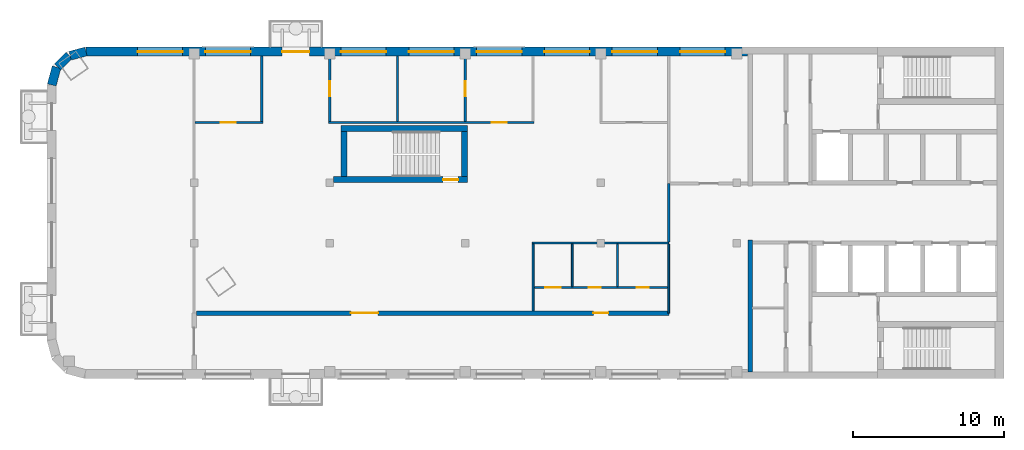
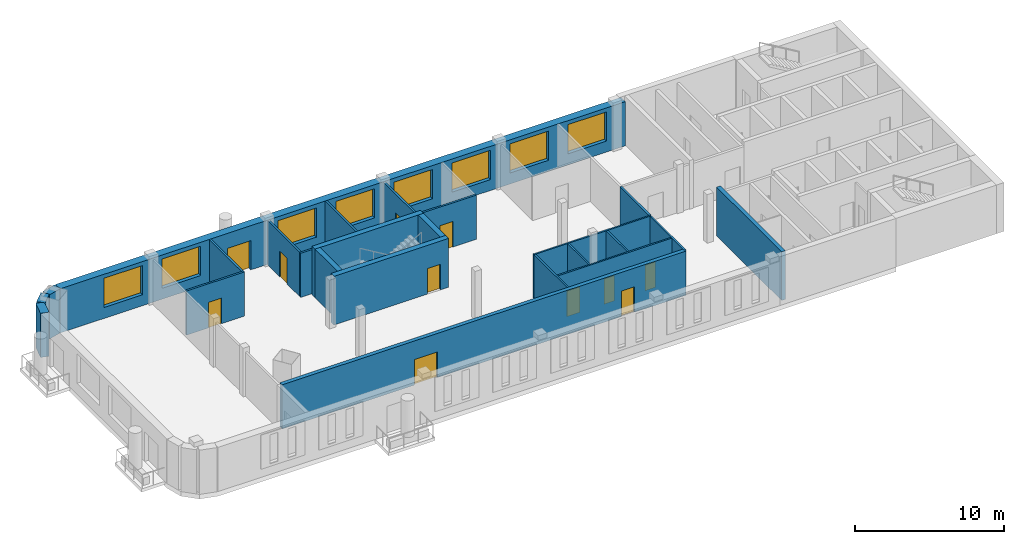
# One storey, part 2 of 7: 23 walls, 11 doors, 8 windows, 19 openings.
"""IFC4 building model written with IfcOpenShell, lengths in metres."""

from ifc_helpers import new_model, si_unit, direction, frame, frame_2d, origin, place, context, subcontext, project, spatial, rectangle, extrude, material, layer, layer_set, type_object, element, fill, save


model = new_model("IFC4")

# Units and contexts
model_context = context("Model", 3, precision=1e-05, world=origin(), true_north=direction((0.0, 1.0)))
body_context = subcontext(model_context, "Body", "Model", "MODEL_VIEW")
ifc_project = project(units=[si_unit("LENGTHUNIT", "METRE"), si_unit("AREAUNIT", "SQUARE_METRE"), si_unit("VOLUMEUNIT", "CUBIC_METRE"), si_unit("PLANEANGLEUNIT", "RADIAN"), si_unit("MASSUNIT", "GRAM", prefix="KILO")], contexts=[model_context])

# Site, building, storey
site_placement = place(None, origin())
site = spatial("IfcSite", under=ifc_project, at=site_placement, CompositionType="ELEMENT")
building_placement = place(site_placement, origin())
building = spatial("IfcBuilding", under=site, at=building_placement, Name="Skarvind Civic Tower", CompositionType="ELEMENT")
storey_placement = place(building_placement, frame((0.0, 0.0, 241.5)))
storey = spatial("IfcBuildingStorey", under=building, at=storey_placement, Name="L57", CompositionType="ELEMENT", Elevation=241.5)

# Wall, openings, doors
ifc_material_1 = material(Name="Fire-rated gypsum board on steel studs", Category="steel")
ifc_layer_1 = layer(ifc_material_1, 0.300048828125)
ifc_layer_set_1 = layer_set([ifc_layer_1], Name="CORRIDOR WALL 300")
wall_type_1 = type_object("IfcWallType", Name="CORRIDOR WALL 300", PredefinedType="PARTITIONING", material=ifc_layer_set_1)
wall_1_placement = place(storey_placement, frame((54.39990234375, 121.35009765625, 0.0), z_axis=(0.0, 0.0, 1.0), x_axis=(1.0, 0.0, 0.0)))
wall_1 = element("IfcWall", 1, at=wall_1_placement, inside=storey, type_object=wall_type_1, Name="Partition 57.003", PredefinedType="PARTITIONING", context=body_context, shape_type="SweptSolid", body=[
    extrude(rectangle(XDim=31.35302734375, YDim=0.300048828125, at=frame_2d((15.676513671875, 0.0))), origin(), (0.0, 0.0, 1.0), 3.625),
])
opening_1_placement = place(wall_1_placement, frame((26.35009765625, 0.0, 0.0)))
opening_1 = element("IfcOpeningElement", 2, at=opening_1_placement, cuts=wall_1, Name="Opening L57-D002", PredefinedType="OPENING", context=body_context, shape_type="SweptSolid", body=[
    extrude(rectangle(XDim=1.0, YDim=2.10009765625, at=frame_2d((0.5, 1.050048828125))), frame((0.0, 0.159912109375, 0.0), z_axis=(0.0, -1.0, 0.0), x_axis=(1.0, 0.0, 0.0)), (0.0, 0.0, 1.0), 0.320068359375),
])
opening_2_placement = place(wall_1_placement, frame((10.264892578125, 0.0, 0.0)))
opening_2 = element("IfcOpeningElement", 3, at=opening_2_placement, cuts=wall_1, Name="Opening L57-D010", PredefinedType="OPENING", context=body_context, shape_type="SweptSolid", body=[
    extrude(rectangle(XDim=1.800048828125, YDim=2.10009765625, at=frame_2d((0.89990234375, 1.050048828125))), frame((0.0, 0.159912109375, 0.0), z_axis=(0.0, -1.0, 0.0), x_axis=(1.0, 0.0, 0.0)), (0.0, 0.0, 1.0), 0.320068359375),
])
ifc_material_2 = material(Name="Fire-rated timber door leaf", Category="wood")
door_type_1 = type_object("IfcDoorType", Name="FD1 1000x2100", OperationType="NOTDEFINED", PredefinedType="DOOR", material=ifc_material_2)
door_1_placement = place(opening_1_placement, origin())
door_1 = element("IfcDoor", 4, at=door_1_placement, inside=storey, type_object=door_type_1, Name="Door L57-D002", OperationType="SINGLE_SWING_LEFT", OverallHeight=2.10009765625, OverallWidth=1.0, PredefinedType="DOOR", context=body_context, shape_type="SweptSolid", body=[
    extrude(rectangle(XDim=1.0, YDim=2.10009765625, at=frame_2d((0.5, 1.050048828125))), frame((0.0, 0.02490234375, 0.0), z_axis=(0.0, -1.0, 0.0), x_axis=(1.0, 0.0, 0.0)), (0.0, 0.0, 1.0), 0.050048828125),
])
fill(opening_1, door_1)
door_type_2 = type_object("IfcDoorType", Name="FD4 1800x2100", OperationType="NOTDEFINED", PredefinedType="DOOR", material=ifc_material_2)
door_2_placement = place(opening_2_placement, origin())
door_2 = element("IfcDoor", 5, at=door_2_placement, inside=storey, type_object=door_type_2, Name="Door L57-D010", OperationType="DOUBLE_DOOR_SINGLE_SWING", OverallHeight=2.10009765625, OverallWidth=1.800048828125, PredefinedType="DOOR", context=body_context, shape_type="SweptSolid", body=[
    extrude(rectangle(XDim=1.800048828125, YDim=2.10009765625, at=frame_2d((0.89990234375, 1.050048828125))), frame((0.0, 0.02490234375, 0.0), z_axis=(0.0, -1.0, 0.0), x_axis=(1.0, 0.0, 0.0)), (0.0, 0.0, 1.0), 0.050048828125),
])
fill(opening_2, door_2)

# Wall
ifc_material_3 = material(Name="Concrete C60", Category="concrete")
ifc_layer_2 = layer(ifc_material_3, 0.300048828125)
ifc_layer_set_2 = layer_set([ifc_layer_2], Name="Core wall 300 C60")
wall_type_2 = type_object("IfcWallType", Name="Core wall 300 C60", PredefinedType="SHEAR", material=ifc_layer_set_2)
wall_2_placement = place(storey_placement, frame((91.14990234375, 126.199951171875, 0.0), z_axis=(0.0, 0.0, 1.0), x_axis=(0.0, -1.0, 0.0)))
element("IfcWall", 6, at=wall_2_placement, inside=storey, type_object=wall_type_2, Name="Core wall C1 north inner face L57", PredefinedType="SHEAR", context=body_context, shape_type="SweptSolid", body=[
    extrude(rectangle(XDim=8.75, YDim=0.300048828125, at=frame_2d((4.375, 0.0))), origin(), (0.0, 0.0, 1.0), 4.0),
])

# Wall, opening, door
ifc_layer_3 = layer(ifc_material_3, 0.39990234375)
ifc_layer_set_3 = layer_set([ifc_layer_3], Name="Core wall 400 C60")
wall_type_3 = type_object("IfcWallType", Name="Core wall 400 C60", PredefinedType="SHEAR", material=ifc_layer_set_3)
wall_3_placement = place(storey_placement, frame((63.5, 130.199951171875, 0.0), z_axis=(0.0, 0.0, 1.0), x_axis=(1.0, 0.0, 0.0)))
wall_3 = element("IfcWall", 7, at=wall_3_placement, inside=storey, type_object=wall_type_3, Name="Core wall CM inner L57", PredefinedType="SHEAR", context=body_context, shape_type="SweptSolid", body=[
    extrude(rectangle(XDim=8.89990234375, YDim=0.39990234375, at=frame_2d((4.449951171875, 0.0))), origin(), (0.0, 0.0, 1.0), 4.0),
])
opening_3_placement = place(wall_3_placement, frame((7.27490234375, 0.0, 0.0)))
opening_3 = element("IfcOpeningElement", 8, at=opening_3_placement, cuts=wall_3, Name="Opening D-L57-CM-01", PredefinedType="OPENING", context=body_context, shape_type="SweptSolid", body=[
    extrude(rectangle(XDim=1.0, YDim=2.10009765625, at=frame_2d((0.5, 1.050048828125))), frame((0.0, 0.2099609375, 0.0), z_axis=(0.0, -1.0, 0.0), x_axis=(1.0, 0.0, 0.0)), (0.0, 0.0, 1.0), 0.419921875),
])
ifc_material_4 = material(Name="Fire-rated steel door", Category="steel")
door_type_3 = type_object("IfcDoorType", Name="Fire door 1000", OperationType="NOTDEFINED", PredefinedType="DOOR", material=ifc_material_4)
door_3_placement = place(opening_3_placement, origin())
door_3 = element("IfcDoor", 9, at=door_3_placement, inside=storey, type_object=door_type_3, Name="Fire door", OperationType="SINGLE_SWING_LEFT", OverallHeight=2.10009765625, OverallWidth=1.0, PredefinedType="DOOR", context=body_context, shape_type="SweptSolid", body=[
    extrude(rectangle(XDim=1.0, YDim=2.10009765625, at=frame_2d((0.5, 1.050048828125))), frame((0.0, 0.02490234375, 0.0), z_axis=(0.0, -1.0, 0.0), x_axis=(1.0, 0.0, 0.0)), (0.0, 0.0, 1.0), 0.050048828125),
])
fill(opening_3, door_3)

# Walls
wall_4_placement = place(storey_placement, frame((64.0, 133.60009765625, 0.0), z_axis=(0.0, 0.0, 1.0), x_axis=(1.0, 0.0, 0.0)))
element("IfcWall", 10, at=wall_4_placement, inside=storey, type_object=wall_type_3, Name="Core wall CM outer L57", PredefinedType="SHEAR", context=body_context, shape_type="SweptSolid", body=[
    extrude(rectangle(XDim=8.39990234375, YDim=0.39990234375, at=frame_2d((4.199951171875, 0.0))), origin(), (0.0, 0.0, 1.0), 4.0),
])
for number, where, z_axis, x_axis, name in (
    (11, (64.199951171875, 130.39990234375, 0.0), (0.0, 0.0, 1.0), (0.0, 1.0, 0.0), "Core wall CM west L57"),
    (12, (72.199951171875, 130.39990234375, 0.0), (0.0, 0.0, 1.0), (0.0, 1.0, 0.0), "Core wall CM end L57"),
):
    element("IfcWall", number, at=place(storey_placement, frame(where, z_axis=z_axis, x_axis=x_axis)), inside=storey, type_object=wall_type_3, Name=name, PredefinedType="SHEAR", context=body_context, shape_type="SweptSolid", body=[
        extrude(rectangle(XDim=3.0, YDim=0.39990234375, at=frame_2d((1.5, 0.0))), origin(), (0.0, 0.0, 1.0), 4.0),
    ])

# Wall, opening, door
ifc_material_5 = material(Name="Plasterboard partition on steel studs", Category="steel")
ifc_layer_4 = layer(ifc_material_5, 0.14990234375)
ifc_layer_set_4 = layer_set([ifc_layer_4], Name="PARTITION 150")
wall_type_4 = type_object("IfcWallType", Name="PARTITION 150", PredefinedType="PARTITIONING", material=ifc_layer_set_4)
wall_5_placement = place(storey_placement, frame((58.824951171875, 134.0, 0.0), z_axis=(0.0, 0.0, 1.0), x_axis=(-1.0, 0.0, 0.0)))
wall_5 = element("IfcWall", 13, at=wall_5_placement, inside=storey, type_object=wall_type_4, Name="Partition 57.004", PredefinedType="PARTITIONING", context=body_context, shape_type="SweptSolid", body=[
    extrude(rectangle(XDim=4.5, YDim=0.14990234375, at=frame_2d((2.25, 0.0))), origin(), (0.0, 0.0, 1.0), 3.625),
])
opening_4_placement = place(wall_5_placement, frame((1.797607421875, 0.0, 0.0)))
opening_4 = element("IfcOpeningElement", 14, at=opening_4_placement, cuts=wall_5, Name="Opening L57-D009", PredefinedType="OPENING", context=body_context, shape_type="SweptSolid", body=[
    extrude(rectangle(XDim=1.0, YDim=2.10009765625, at=frame_2d((0.5, 1.050048828125))), frame((0.0, 0.0849609375, 0.0), z_axis=(0.0, -1.0, 0.0), x_axis=(1.0, 0.0, 0.0)), (0.0, 0.0, 1.0), 0.169921875),
])
ifc_material_6 = material(Name="Timber door leaf", Category="wood")
door_type_4 = type_object("IfcDoorType", Name="D1 1000x2100", OperationType="NOTDEFINED", PredefinedType="DOOR", material=ifc_material_6)
door_4_placement = place(opening_4_placement, origin())
door_4 = element("IfcDoor", 15, at=door_4_placement, inside=storey, type_object=door_type_4, Name="Door L57-D009", OperationType="SINGLE_SWING_LEFT", OverallHeight=2.10009765625, OverallWidth=1.0, PredefinedType="DOOR", context=body_context, shape_type="SweptSolid", body=[
    extrude(rectangle(XDim=1.0, YDim=2.10009765625, at=frame_2d((0.5, 1.050048828125))), frame((0.0, 0.02490234375, 0.0), z_axis=(0.0, -1.0, 0.0), x_axis=(1.0, 0.0, 0.0)), (0.0, 0.0, 1.0), 0.050048828125),
])
fill(opening_4, door_4)

# Wall
wall_6_placement = place(storey_placement, frame((58.75, 138.39990234375, 0.0), z_axis=(0.0, 0.0, 1.0), x_axis=(0.0, -1.0, 0.0)))
element("IfcWall", 16, at=wall_6_placement, inside=storey, type_object=wall_type_4, Name="Partition 57.005", PredefinedType="PARTITIONING", context=body_context, shape_type="SweptSolid", body=[
    extrude(rectangle(XDim=4.324951171875, YDim=0.14990234375, at=frame_2d((2.16259765625, 0.0))), origin(), (0.0, 0.0, 1.0), 3.625),
])

# Wall, opening, door
wall_7_placement = place(storey_placement, frame((63.25, 134.074951171875, 0.0), z_axis=(0.0, 0.0, 1.0), x_axis=(0.0, 1.0, 0.0)))
wall_7 = element("IfcWall", 17, at=wall_7_placement, inside=storey, type_object=wall_type_4, Name="Partition 57.006", PredefinedType="PARTITIONING", context=body_context, shape_type="SweptSolid", body=[
    extrude(rectangle(XDim=4.324951171875, YDim=0.14990234375, at=frame_2d((2.16259765625, 0.0))), origin(), (0.0, 0.0, 1.0), 3.625),
])
opening_5_placement = place(wall_7_placement, frame((1.652587890625, 0.0, 0.0)))
opening_5 = element("IfcOpeningElement", 18, at=opening_5_placement, cuts=wall_7, Name="Opening L57-D008", PredefinedType="OPENING", context=body_context, shape_type="SweptSolid", body=[
    extrude(rectangle(XDim=1.0, YDim=2.10009765625, at=frame_2d((0.5, 1.050048828125))), frame((0.0, 0.0849609375, 0.0), z_axis=(0.0, -1.0, 0.0), x_axis=(1.0, 0.0, 0.0)), (0.0, 0.0, 1.0), 0.169921875),
])
door_5_placement = place(opening_5_placement, origin())
door_5 = element("IfcDoor", 19, at=door_5_placement, inside=storey, type_object=door_type_4, Name="Door L57-D008", OperationType="SINGLE_SWING_LEFT", OverallHeight=2.10009765625, OverallWidth=1.0, PredefinedType="DOOR", context=body_context, shape_type="SweptSolid", body=[
    extrude(rectangle(XDim=1.0, YDim=2.10009765625, at=frame_2d((0.5, 1.050048828125))), frame((0.0, 0.02490234375, 0.0), z_axis=(0.0, -1.0, 0.0), x_axis=(1.0, 0.0, 0.0)), (0.0, 0.0, 1.0), 0.050048828125),
])
fill(opening_5, door_5)

wall_8_placement = place(storey_placement, frame((76.824951171875, 134.0, 0.0), z_axis=(0.0, 0.0, 1.0), x_axis=(-1.0, 0.0, 0.0)))
wall_8 = element("IfcWall", 20, at=wall_8_placement, inside=storey, type_object=wall_type_4, Name="Partition 57.007", PredefinedType="PARTITIONING", context=body_context, shape_type="SweptSolid", body=[
    extrude(rectangle(XDim=13.64990234375, YDim=0.14990234375, at=frame_2d((6.824951171875, 0.0))), origin(), (0.0, 0.0, 1.0), 3.625),
])
opening_6_placement = place(wall_8_placement, frame((1.824951171875, 0.0, 0.0)))
opening_6 = element("IfcOpeningElement", 21, at=opening_6_placement, cuts=wall_8, Name="Opening L57-D007", PredefinedType="OPENING", context=body_context, shape_type="SweptSolid", body=[
    extrude(rectangle(XDim=1.0, YDim=2.10009765625, at=frame_2d((0.5, 1.050048828125))), frame((0.0, 0.0849609375, 0.0), z_axis=(0.0, -1.0, 0.0), x_axis=(1.0, 0.0, 0.0)), (0.0, 0.0, 1.0), 0.169921875),
])
door_6_placement = place(opening_6_placement, origin())
door_6 = element("IfcDoor", 22, at=door_6_placement, inside=storey, type_object=door_type_4, Name="Door L57-D007", OperationType="SINGLE_SWING_LEFT", OverallHeight=2.10009765625, OverallWidth=1.0, PredefinedType="DOOR", context=body_context, shape_type="SweptSolid", body=[
    extrude(rectangle(XDim=1.0, YDim=2.10009765625, at=frame_2d((0.5, 1.050048828125))), frame((0.0, 0.02490234375, 0.0), z_axis=(0.0, -1.0, 0.0), x_axis=(1.0, 0.0, 0.0)), (0.0, 0.0, 1.0), 0.050048828125),
])
fill(opening_6, door_6)

# Wall
wall_9_placement = place(storey_placement, frame((67.75, 134.074951171875, 0.0), z_axis=(0.0, 0.0, 1.0), x_axis=(0.0, 1.0, 0.0)))
element("IfcWall", 23, at=wall_9_placement, inside=storey, type_object=wall_type_4, Name="Partition 57.008", PredefinedType="PARTITIONING", context=body_context, shape_type="SweptSolid", body=[
    extrude(rectangle(XDim=4.324951171875, YDim=0.14990234375, at=frame_2d((2.16259765625, 0.0))), origin(), (0.0, 0.0, 1.0), 3.625),
])

# Wall, opening, door
wall_10_placement = place(storey_placement, frame((72.25, 134.074951171875, 0.0), z_axis=(0.0, 0.0, 1.0), x_axis=(0.0, 1.0, 0.0)))
wall_10 = element("IfcWall", 24, at=wall_10_placement, inside=storey, type_object=wall_type_4, Name="Partition 57.009", PredefinedType="PARTITIONING", context=body_context, shape_type="SweptSolid", body=[
    extrude(rectangle(XDim=4.324951171875, YDim=0.14990234375, at=frame_2d((2.16259765625, 0.0))), origin(), (0.0, 0.0, 1.0), 3.625),
])
opening_7_placement = place(wall_10_placement, frame((1.652587890625, 0.0, 0.0)))
opening_7 = element("IfcOpeningElement", 25, at=opening_7_placement, cuts=wall_10, Name="Opening L57-D012", PredefinedType="OPENING", context=body_context, shape_type="SweptSolid", body=[
    extrude(rectangle(XDim=1.0, YDim=2.10009765625, at=frame_2d((0.5, 1.050048828125))), frame((0.0, 0.0849609375, 0.0), z_axis=(0.0, -1.0, 0.0), x_axis=(1.0, 0.0, 0.0)), (0.0, 0.0, 1.0), 0.169921875),
])
door_7_placement = place(opening_7_placement, origin())
door_7 = element("IfcDoor", 26, at=door_7_placement, inside=storey, type_object=door_type_4, Name="Door L57-D012", OperationType="SINGLE_SWING_LEFT", OverallHeight=2.10009765625, OverallWidth=1.0, PredefinedType="DOOR", context=body_context, shape_type="SweptSolid", body=[
    extrude(rectangle(XDim=1.0, YDim=2.10009765625, at=frame_2d((0.5, 1.050048828125))), frame((0.0, 0.02490234375, 0.0), z_axis=(0.0, -1.0, 0.0), x_axis=(1.0, 0.0, 0.0)), (0.0, 0.0, 1.0), 0.050048828125),
])
fill(opening_7, door_7)

# Walls
wall_11_placement = place(storey_placement, frame((85.75, 126.06005859375, 0.0), z_axis=(0.0, 0.0, 1.0), x_axis=(0.0, 1.0, 0.0)))
element("IfcWall", 27, at=wall_11_placement, inside=storey, type_object=wall_type_4, Name="Partition 57.018", PredefinedType="PARTITIONING", context=body_context, shape_type="SweptSolid", body=[
    extrude(rectangle(XDim=3.889892578125, YDim=0.14990234375, at=frame_2d((1.94482421875, 0.0))), origin(), (0.0, 0.0, 1.0), 3.625),
])
ifc_material_7 = material(Name="Moisture-resistant gypsum board on steel studs", Category="steel")
ifc_layer_5 = layer(ifc_material_7, 0.125)
ifc_layer_set_5 = layer_set([ifc_layer_5], Name="WC PARTITION 125")
wall_type_5 = type_object("IfcWallType", Name="WC PARTITION 125", PredefinedType="PARTITIONING", material=ifc_layer_set_5)
wall_12_placement = place(storey_placement, frame((76.75, 121.5, 0.0), z_axis=(0.0, 0.0, 1.0), x_axis=(0.0, 1.0, 0.0)))
element("IfcWall", 28, at=wall_12_placement, inside=storey, type_object=wall_type_5, Name="Partition 57.010", PredefinedType="PARTITIONING", context=body_context, shape_type="SweptSolid", body=[
    extrude(rectangle(XDim=4.43798828125, YDim=0.125, at=frame_2d((2.218994140625, 0.0))), origin(), (0.0, 0.0, 1.0), 3.625),
])

# Wall, openings, doors
wall_13_placement = place(storey_placement, frame((76.81201171875, 123.050048828125, 0.0), z_axis=(0.0, 0.0, 1.0), x_axis=(1.0, 0.0, 0.0)))
wall_13 = element("IfcWall", 29, at=wall_13_placement, inside=storey, type_object=wall_type_5, Name="Partition 57.011", PredefinedType="PARTITIONING", context=body_context, shape_type="SweptSolid", body=[
    extrude(rectangle(XDim=8.8759765625, YDim=0.125, at=frame_2d((4.43798828125, 0.0))), origin(), (0.0, 0.0, 1.0), 3.625),
])
opening_8_placement = place(wall_13_placement, frame((6.81689453125, 0.0, 0.0)))
opening_8 = element("IfcOpeningElement", 30, at=opening_8_placement, cuts=wall_13, Name="Opening L57-D003", PredefinedType="OPENING", context=body_context, shape_type="SweptSolid", body=[
    extrude(rectangle(XDim=0.800048828125, YDim=2.10009765625, at=frame_2d((0.39990234375, 1.050048828125))), frame((0.0, 0.072509765625, 0.0), z_axis=(0.0, -1.0, 0.0), x_axis=(1.0, 0.0, 0.0)), (0.0, 0.0, 1.0), 0.14501953125),
])
opening_9_placement = place(wall_13_placement, frame((3.637939453125, 0.0, 0.0)))
opening_9 = element("IfcOpeningElement", 31, at=opening_9_placement, cuts=wall_13, Name="Opening L57-D004", PredefinedType="OPENING", context=body_context, shape_type="SweptSolid", body=[
    extrude(rectangle(XDim=0.800048828125, YDim=2.10009765625, at=frame_2d((0.39990234375, 1.050048828125))), frame((0.0, 0.072509765625, 0.0), z_axis=(0.0, -1.0, 0.0), x_axis=(1.0, 0.0, 0.0)), (0.0, 0.0, 1.0), 0.14501953125),
])
opening_10_placement = place(wall_13_placement, frame((0.759033203125, 0.0, 0.0)))
opening_10 = element("IfcOpeningElement", 32, at=opening_10_placement, cuts=wall_13, Name="Opening L57-D005", PredefinedType="OPENING", context=body_context, shape_type="SweptSolid", body=[
    extrude(rectangle(XDim=1.0, YDim=2.10009765625, at=frame_2d((0.5, 1.050048828125))), frame((0.0, 0.072509765625, 0.0), z_axis=(0.0, -1.0, 0.0), x_axis=(1.0, 0.0, 0.0)), (0.0, 0.0, 1.0), 0.14501953125),
])
door_8_placement = place(opening_10_placement, origin())
door_8 = element("IfcDoor", 33, at=door_8_placement, inside=storey, type_object=door_type_4, Name="Door L57-D005", OperationType="SINGLE_SWING_LEFT", OverallHeight=2.10009765625, OverallWidth=1.0, PredefinedType="DOOR", context=body_context, shape_type="SweptSolid", body=[
    extrude(rectangle(XDim=1.0, YDim=2.10009765625, at=frame_2d((0.5, 1.050048828125))), frame((0.0, 0.02490234375, 0.0), z_axis=(0.0, -1.0, 0.0), x_axis=(1.0, 0.0, 0.0)), (0.0, 0.0, 1.0), 0.050048828125),
])
fill(opening_10, door_8)
door_type_5 = type_object("IfcDoorType", Name="DOOR 800X2100 TIMBER", OperationType="NOTDEFINED", PredefinedType="DOOR", material=ifc_material_6)
door_9_placement = place(opening_8_placement, origin())
door_9 = element("IfcDoor", 34, at=door_9_placement, inside=storey, type_object=door_type_5, Name="Door L57-D003", OperationType="SINGLE_SWING_RIGHT", OverallHeight=2.10009765625, OverallWidth=0.800048828125, PredefinedType="DOOR", context=body_context, shape_type="SweptSolid", body=[
    extrude(rectangle(XDim=0.800048828125, YDim=2.10009765625, at=frame_2d((0.39990234375, 1.050048828125))), frame((0.0, 0.02490234375, 0.0), z_axis=(0.0, -1.0, 0.0), x_axis=(1.0, 0.0, 0.0)), (0.0, 0.0, 1.0), 0.050048828125),
])
fill(opening_8, door_9)
door_10_placement = place(opening_9_placement, origin())
door_10 = element("IfcDoor", 35, at=door_10_placement, inside=storey, type_object=door_type_5, Name="Door L57-D004", OperationType="SINGLE_SWING_LEFT", OverallHeight=2.10009765625, OverallWidth=0.800048828125, PredefinedType="DOOR", context=body_context, shape_type="SweptSolid", body=[
    extrude(rectangle(XDim=0.800048828125, YDim=2.10009765625, at=frame_2d((0.39990234375, 1.050048828125))), frame((0.0, 0.02490234375, 0.0), z_axis=(0.0, -1.0, 0.0), x_axis=(1.0, 0.0, 0.0)), (0.0, 0.0, 1.0), 0.050048828125),
])
fill(opening_9, door_10)

# Walls
wall_14_placement = place(storey_placement, frame((76.68798828125, 126.0, 0.0), z_axis=(0.0, 0.0, 1.0), x_axis=(1.0, 0.0, 0.0)))
element("IfcWall", 36, at=wall_14_placement, inside=storey, type_object=wall_type_5, Name="Partition 57.012", PredefinedType="PARTITIONING", context=body_context, shape_type="SweptSolid", body=[
    extrude(rectangle(XDim=9.06201171875, YDim=0.125, at=frame_2d((4.531005859375, 0.0))), origin(), (0.0, 0.0, 1.0), 3.625),
])
for number, where, z_axis, x_axis, name in (
    (37, (79.35009765625, 125.93798828125, 0.0), (0.0, 0.0, 1.0), (0.0, -1.0, 0.0), "Partition 57.014"),
    (38, (82.35009765625, 125.93798828125, 0.0), (0.0, 0.0, 1.0), (0.0, -1.0, 0.0), "Partition 57.016"),
):
    element("IfcWall", number, at=place(storey_placement, frame(where, z_axis=z_axis, x_axis=x_axis)), inside=storey, type_object=wall_type_5, Name=name, PredefinedType="PARTITIONING", context=body_context, shape_type="SweptSolid", body=[
        extrude(rectangle(XDim=2.825927734375, YDim=0.125, at=frame_2d((1.4130859375, 0.0))), origin(), (0.0, 0.0, 1.0), 3.625),
    ])
wall_15_placement = place(storey_placement, frame((85.75, 121.35009765625, 0.0), z_axis=(0.0, 0.0, 1.0), x_axis=(0.0, 1.0, 0.0)))
element("IfcWall", 39, at=wall_15_placement, inside=storey, type_object=wall_type_5, Name="Partition 57.017", PredefinedType="PARTITIONING", context=body_context, shape_type="SweptSolid", body=[
    extrude(rectangle(XDim=4.577880859375, YDim=0.125, at=frame_2d((2.2890625, 0.0))), origin(), (0.0, 0.0, 1.0), 3.625),
])

# Wall, openings, door, windows
ifc_material_8 = material(Name="Standing-seam zinc cladding on insulated backing")
ifc_layer_6 = layer(ifc_material_8, 0.60009765625)
ifc_layer_set_6 = layer_set([ifc_layer_6], Name="WX2 ZINC-CLAD FACADE WALL 600")
wall_type_6 = type_object("IfcWallType", Name="WX2 ZINC-CLAD FACADE WALL 600", PredefinedType="SOLIDWALL", material=ifc_layer_set_6)
wall_16_placement = place(storey_placement, frame((47.070068359375, 138.699951171875, 0.0), z_axis=(0.0, 0.0, 1.0), x_axis=(1.0, 0.0, 0.0)))
wall_16 = element("IfcWall", 40, at=wall_16_placement, inside=storey, type_object=wall_type_6, Name="ZINC-CLAD FACADE WALL", PredefinedType="SOLIDWALL", context=body_context, shape_type="SweptSolid", body=[
    extrude(rectangle(XDim=43.909912109375, YDim=0.60009765625, at=frame_2d((21.955078125, 0.0))), origin(), (0.0, 0.0, 1.0), 3.625),
])
opening_11_placement = place(wall_16_placement, frame((3.429931640625, 0.0, 0.89990234375)))
opening_11 = element("IfcOpeningElement", 41, at=opening_11_placement, cuts=wall_16, Name="Opening WN4", PredefinedType="OPENING", context=body_context, shape_type="SweptSolid", body=[
    extrude(rectangle(XDim=3.0, YDim=2.39990234375, at=frame_2d((1.5, 1.199951171875))), frame((0.0, 0.31005859375, 0.0), z_axis=(0.0, -1.0, 0.0), x_axis=(1.0, 0.0, 0.0)), (0.0, 0.0, 1.0), 0.6201171875),
])
opening_12_placement = place(wall_16_placement, frame((7.929931640625, 0.0, 0.89990234375)))
opening_12 = element("IfcOpeningElement", 42, at=opening_12_placement, cuts=wall_16, Name="Opening WN4", PredefinedType="OPENING", context=body_context, shape_type="SweptSolid", body=[
    extrude(rectangle(XDim=3.0, YDim=2.39990234375, at=frame_2d((1.5, 1.199951171875))), frame((0.0, 0.31005859375, 0.0), z_axis=(0.0, -1.0, 0.0), x_axis=(1.0, 0.0, 0.0)), (0.0, 0.0, 1.0), 0.6201171875),
])
opening_13_placement = place(wall_16_placement, frame((13.030029296875, 0.0, 0.0)))
opening_13 = element("IfcOpeningElement", 43, at=opening_13_placement, cuts=wall_16, Name="Opening DX3", PredefinedType="OPENING", context=body_context, shape_type="SweptSolid", body=[
    extrude(rectangle(XDim=1.800048828125, YDim=2.39990234375, at=frame_2d((0.89990234375, 1.199951171875))), frame((0.0, 0.31005859375, 0.0), z_axis=(0.0, -1.0, 0.0), x_axis=(1.0, 0.0, 0.0)), (0.0, 0.0, 1.0), 0.6201171875),
])
opening_14_placement = place(wall_16_placement, frame((16.929931640625, 0.0, 0.89990234375)))
opening_14 = element("IfcOpeningElement", 44, at=opening_14_placement, cuts=wall_16, Name="Opening WN4", PredefinedType="OPENING", context=body_context, shape_type="SweptSolid", body=[
    extrude(rectangle(XDim=3.0, YDim=2.39990234375, at=frame_2d((1.5, 1.199951171875))), frame((0.0, 0.31005859375, 0.0), z_axis=(0.0, -1.0, 0.0), x_axis=(1.0, 0.0, 0.0)), (0.0, 0.0, 1.0), 0.6201171875),
])
opening_15_placement = place(wall_16_placement, frame((21.429931640625, 0.0, 0.89990234375)))
opening_15 = element("IfcOpeningElement", 45, at=opening_15_placement, cuts=wall_16, Name="Opening WN4", PredefinedType="OPENING", context=body_context, shape_type="SweptSolid", body=[
    extrude(rectangle(XDim=3.0, YDim=2.39990234375, at=frame_2d((1.5, 1.199951171875))), frame((0.0, 0.31005859375, 0.0), z_axis=(0.0, -1.0, 0.0), x_axis=(1.0, 0.0, 0.0)), (0.0, 0.0, 1.0), 0.6201171875),
])
opening_16_placement = place(wall_16_placement, frame((25.929931640625, 0.0, 0.89990234375)))
opening_16 = element("IfcOpeningElement", 46, at=opening_16_placement, cuts=wall_16, Name="Opening WN4", PredefinedType="OPENING", context=body_context, shape_type="SweptSolid", body=[
    extrude(rectangle(XDim=3.0, YDim=2.39990234375, at=frame_2d((1.5, 1.199951171875))), frame((0.0, 0.31005859375, 0.0), z_axis=(0.0, -1.0, 0.0), x_axis=(1.0, 0.0, 0.0)), (0.0, 0.0, 1.0), 0.6201171875),
])
opening_17_placement = place(wall_16_placement, frame((30.429931640625, 0.0, 0.89990234375)))
opening_17 = element("IfcOpeningElement", 47, at=opening_17_placement, cuts=wall_16, Name="Opening WN4", PredefinedType="OPENING", context=body_context, shape_type="SweptSolid", body=[
    extrude(rectangle(XDim=3.0, YDim=2.39990234375, at=frame_2d((1.5, 1.199951171875))), frame((0.0, 0.31005859375, 0.0), z_axis=(0.0, -1.0, 0.0), x_axis=(1.0, 0.0, 0.0)), (0.0, 0.0, 1.0), 0.6201171875),
])
opening_18_placement = place(wall_16_placement, frame((34.929931640625, 0.0, 0.89990234375)))
opening_18 = element("IfcOpeningElement", 48, at=opening_18_placement, cuts=wall_16, Name="Opening WN4", PredefinedType="OPENING", context=body_context, shape_type="SweptSolid", body=[
    extrude(rectangle(XDim=3.0, YDim=2.39990234375, at=frame_2d((1.5, 1.199951171875))), frame((0.0, 0.31005859375, 0.0), z_axis=(0.0, -1.0, 0.0), x_axis=(1.0, 0.0, 0.0)), (0.0, 0.0, 1.0), 0.6201171875),
])
opening_19_placement = place(wall_16_placement, frame((39.429931640625, 0.0, 0.89990234375)))
opening_19 = element("IfcOpeningElement", 49, at=opening_19_placement, cuts=wall_16, Name="Opening WN4", PredefinedType="OPENING", context=body_context, shape_type="SweptSolid", body=[
    extrude(rectangle(XDim=3.0, YDim=2.39990234375, at=frame_2d((1.5, 1.199951171875))), frame((0.0, 0.31005859375, 0.0), z_axis=(0.0, -1.0, 0.0), x_axis=(1.0, 0.0, 0.0)), (0.0, 0.0, 1.0), 0.6201171875),
])
ifc_material_9 = material(Name="Timber and glass doorset", Category="wood")
door_type_6 = type_object("IfcDoorType", Name="DX3 TERRACE DOORS 1800 x 2400", OperationType="NOTDEFINED", PredefinedType="DOOR", material=ifc_material_9)
door_11_placement = place(opening_13_placement, origin())
door_11 = element("IfcDoor", 50, at=door_11_placement, inside=storey, type_object=door_type_6, Name="TERRACE DOORS", OperationType="DOUBLE_DOOR_SINGLE_SWING", OverallHeight=2.39990234375, OverallWidth=1.800048828125, PredefinedType="DOOR", context=body_context, shape_type="SweptSolid", body=[
    extrude(rectangle(XDim=1.800048828125, YDim=2.39990234375, at=frame_2d((0.89990234375, 1.199951171875))), frame((0.0, 0.02490234375, 0.0), z_axis=(0.0, -1.0, 0.0), x_axis=(1.0, 0.0, 0.0)), (0.0, 0.0, 1.0), 0.050048828125),
])
fill(opening_13, door_11)
ifc_material_10 = material(Name="Timber frame, double glazing, copper-lined reveal", Category="wood")
window_type = type_object("IfcWindowType", Name="WN4 COPPER-LINED WINDOW 3000 x 2400", PartitioningType="SINGLE_PANEL", PredefinedType="WINDOW", material=ifc_material_10)
window_1_placement = place(opening_11_placement, origin())
window_1 = element("IfcWindow", 51, at=window_1_placement, inside=storey, type_object=window_type, Name="WN4 WINDOW", OverallHeight=2.39990234375, OverallWidth=3.0, PartitioningType="SINGLE_PANEL", PredefinedType="WINDOW", context=body_context, shape_type="SweptSolid", body=[
    extrude(rectangle(XDim=3.0, YDim=2.39990234375, at=frame_2d((1.5, 1.199951171875))), frame((0.0, 0.030029296875, 0.0), z_axis=(0.0, -1.0, 0.0), x_axis=(1.0, 0.0, 0.0)), (0.0, 0.0, 1.0), 0.06005859375),
])
fill(opening_11, window_1)
window_2_placement = place(opening_12_placement, origin())
window_2 = element("IfcWindow", 52, at=window_2_placement, inside=storey, type_object=window_type, Name="WN4 WINDOW", OverallHeight=2.39990234375, OverallWidth=3.0, PartitioningType="SINGLE_PANEL", PredefinedType="WINDOW", context=body_context, shape_type="SweptSolid", body=[
    extrude(rectangle(XDim=3.0, YDim=2.39990234375, at=frame_2d((1.5, 1.199951171875))), frame((0.0, 0.030029296875, 0.0), z_axis=(0.0, -1.0, 0.0), x_axis=(1.0, 0.0, 0.0)), (0.0, 0.0, 1.0), 0.06005859375),
])
fill(opening_12, window_2)
window_3_placement = place(opening_14_placement, origin())
window_3 = element("IfcWindow", 53, at=window_3_placement, inside=storey, type_object=window_type, Name="WN4 WINDOW", OverallHeight=2.39990234375, OverallWidth=3.0, PartitioningType="SINGLE_PANEL", PredefinedType="WINDOW", context=body_context, shape_type="SweptSolid", body=[
    extrude(rectangle(XDim=3.0, YDim=2.39990234375, at=frame_2d((1.5, 1.199951171875))), frame((0.0, 0.030029296875, 0.0), z_axis=(0.0, -1.0, 0.0), x_axis=(1.0, 0.0, 0.0)), (0.0, 0.0, 1.0), 0.06005859375),
])
fill(opening_14, window_3)
window_4_placement = place(opening_15_placement, origin())
window_4 = element("IfcWindow", 54, at=window_4_placement, inside=storey, type_object=window_type, Name="WN4 WINDOW", OverallHeight=2.39990234375, OverallWidth=3.0, PartitioningType="SINGLE_PANEL", PredefinedType="WINDOW", context=body_context, shape_type="SweptSolid", body=[
    extrude(rectangle(XDim=3.0, YDim=2.39990234375, at=frame_2d((1.5, 1.199951171875))), frame((0.0, 0.030029296875, 0.0), z_axis=(0.0, -1.0, 0.0), x_axis=(1.0, 0.0, 0.0)), (0.0, 0.0, 1.0), 0.06005859375),
])
fill(opening_15, window_4)
window_5_placement = place(opening_16_placement, origin())
window_5 = element("IfcWindow", 55, at=window_5_placement, inside=storey, type_object=window_type, Name="WN4 WINDOW", OverallHeight=2.39990234375, OverallWidth=3.0, PartitioningType="SINGLE_PANEL", PredefinedType="WINDOW", context=body_context, shape_type="SweptSolid", body=[
    extrude(rectangle(XDim=3.0, YDim=2.39990234375, at=frame_2d((1.5, 1.199951171875))), frame((0.0, 0.030029296875, 0.0), z_axis=(0.0, -1.0, 0.0), x_axis=(1.0, 0.0, 0.0)), (0.0, 0.0, 1.0), 0.06005859375),
])
fill(opening_16, window_5)
window_6_placement = place(opening_17_placement, origin())
window_6 = element("IfcWindow", 56, at=window_6_placement, inside=storey, type_object=window_type, Name="WN4 WINDOW", OverallHeight=2.39990234375, OverallWidth=3.0, PartitioningType="SINGLE_PANEL", PredefinedType="WINDOW", context=body_context, shape_type="SweptSolid", body=[
    extrude(rectangle(XDim=3.0, YDim=2.39990234375, at=frame_2d((1.5, 1.199951171875))), frame((0.0, 0.030029296875, 0.0), z_axis=(0.0, -1.0, 0.0), x_axis=(1.0, 0.0, 0.0)), (0.0, 0.0, 1.0), 0.06005859375),
])
fill(opening_17, window_6)
window_7_placement = place(opening_18_placement, origin())
window_7 = element("IfcWindow", 57, at=window_7_placement, inside=storey, type_object=window_type, Name="WN4 WINDOW", OverallHeight=2.39990234375, OverallWidth=3.0, PartitioningType="SINGLE_PANEL", PredefinedType="WINDOW", context=body_context, shape_type="SweptSolid", body=[
    extrude(rectangle(XDim=3.0, YDim=2.39990234375, at=frame_2d((1.5, 1.199951171875))), frame((0.0, 0.030029296875, 0.0), z_axis=(0.0, -1.0, 0.0), x_axis=(1.0, 0.0, 0.0)), (0.0, 0.0, 1.0), 0.06005859375),
])
fill(opening_18, window_7)
window_8_placement = place(opening_19_placement, origin())
window_8 = element("IfcWindow", 58, at=window_8_placement, inside=storey, type_object=window_type, Name="WN4 WINDOW", OverallHeight=2.39990234375, OverallWidth=3.0, PartitioningType="SINGLE_PANEL", PredefinedType="WINDOW", context=body_context, shape_type="SweptSolid", body=[
    extrude(rectangle(XDim=3.0, YDim=2.39990234375, at=frame_2d((1.5, 1.199951171875))), frame((0.0, 0.030029296875, 0.0), z_axis=(0.0, -1.0, 0.0), x_axis=(1.0, 0.0, 0.0)), (0.0, 0.0, 1.0), 0.06005859375),
])
fill(opening_19, window_8)

# Walls
wall_17_placement = place(storey_placement, frame((46.030517578125, 138.4296875, 0.0), z_axis=(0.0, 0.0, 1.0), x_axis=(0.965939004864, 0.25876985698, 0.0)))
element("IfcWall", 59, at=wall_17_placement, inside=storey, type_object=wall_type_6, Name="ZINC-CLAD FACADE WALL", PredefinedType="SOLIDWALL", context=body_context, shape_type="SweptSolid", body=[
    extrude(rectangle(XDim=1.083984375, YDim=0.60009765625, at=frame_2d((0.5419921875, 0.0))), origin(), (0.0, 0.0, 1.0), 3.625),
])
wall_18_placement = place(storey_placement, frame((45.195556640625, 137.686279296875, 0.0), z_axis=(0.0, 0.0, 1.0), x_axis=(0.707106781187, 0.707106781187, 0.0)))
element("IfcWall", 60, at=wall_18_placement, inside=storey, type_object=wall_type_6, Name="ZINC-CLAD FACADE WALL", PredefinedType="SOLIDWALL", context=body_context, shape_type="SweptSolid", body=[
    extrude(rectangle(XDim=1.084228515625, YDim=0.60009765625, at=frame_2d((0.5419921875, 0.0))), origin(), (0.0, 0.0, 1.0), 3.625),
])
wall_19_placement = place(storey_placement, frame((44.807861328125, 136.489990234375, 0.0), z_axis=(0.0, 0.0, 1.0), x_axis=(0.258878975098, 0.965909766102, 0.0)))
element("IfcWall", 61, at=wall_19_placement, inside=storey, type_object=wall_type_6, Name="ZINC-CLAD FACADE WALL", PredefinedType="SOLIDWALL", context=body_context, shape_type="SweptSolid", body=[
    extrude(rectangle(XDim=1.22412109375, YDim=0.60009765625, at=frame_2d((0.612060546875, 0.0))), origin(), (0.0, 0.0, 1.0), 3.625),
])

save(model, "model.ifc")
